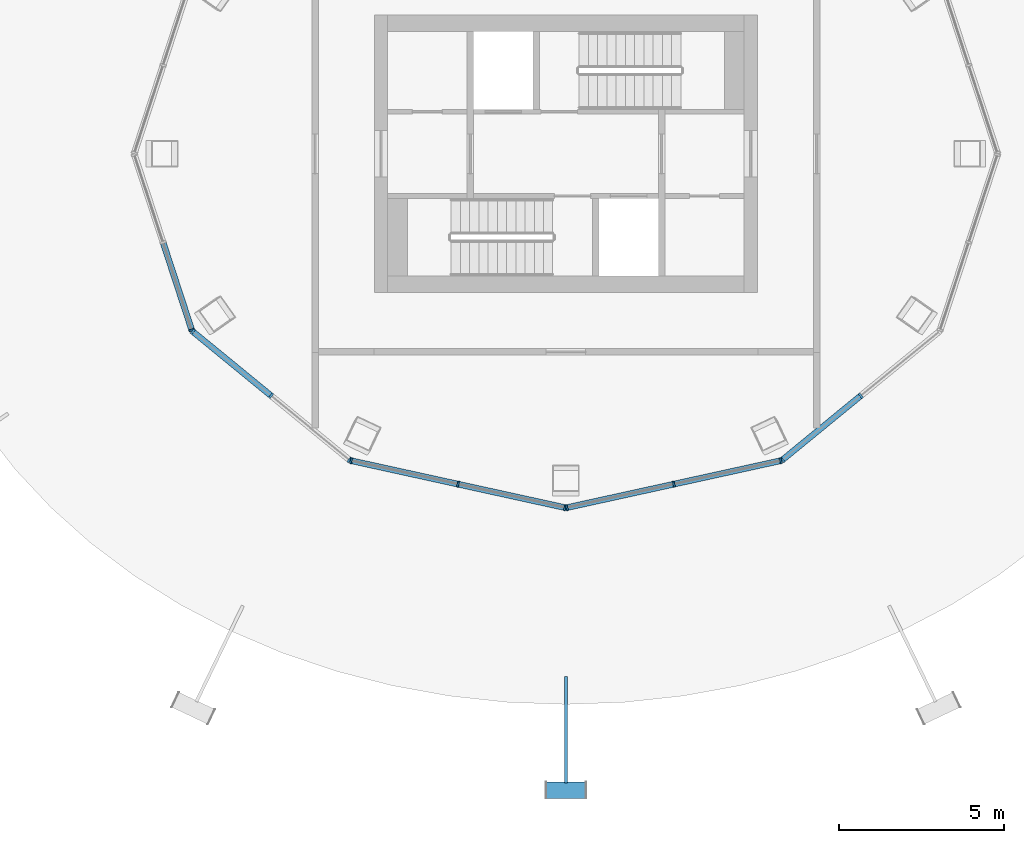
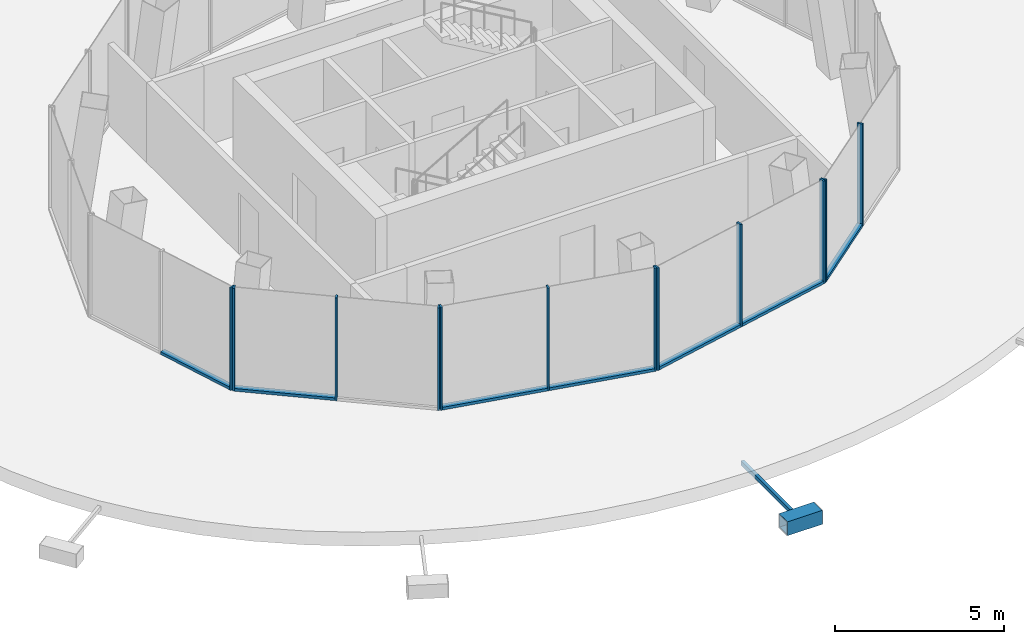
# One storey, part 2 of 10: 21 members, 5 elements without a shape of their own.
"""IFC4 building model written with IfcOpenShell, lengths in metres."""

from ifc_helpers import new_model, si_unit, direction, frame, origin, origin_2d, place, context, subcontext, project, spatial, rectangle, hollow_rectangle, extrude, material, layer, layer_set, material_profile, profile_set, type_object, element, aggregate, save


model = new_model("IFC4")

# Units and contexts
model_context = context("Model", 3, precision=1e-05, world=origin(), true_north=direction((0.0, 1.0)))
body_context = subcontext(model_context, "Body", "Model", "MODEL_VIEW")
ifc_project = project(units=[si_unit("LENGTHUNIT", "METRE"), si_unit("AREAUNIT", "SQUARE_METRE"), si_unit("VOLUMEUNIT", "CUBIC_METRE"), si_unit("PLANEANGLEUNIT", "RADIAN"), si_unit("MASSUNIT", "GRAM", prefix="KILO")], contexts=[model_context])

# Site, building, storey
site_placement = place(None, origin())
site = spatial("IfcSite", under=ifc_project, at=site_placement, CompositionType="ELEMENT")
building_placement = place(site_placement, origin())
building = spatial("IfcBuilding", under=site, at=building_placement, Name="Siaravel Broadcast Tower", CompositionType="ELEMENT")
storey_placement = place(building_placement, frame((0.0, 0.0, 272.60009765625)))
storey = spatial("IfcBuildingStorey", under=building, at=storey_placement, Name="L66", CompositionType="ELEMENT", Elevation=272.60009765625)

# Curtain wall, member
ifc_material_1 = material(Name="Aluminium 6063-T6", Category="aluminium")
ifc_layer = layer(ifc_material_1, 0.179931640625)
ifc_layer_set = layer_set([ifc_layer], Name="Aluminium 6063-T6")
curtain_wall_type = type_object("IfcCurtainWallType", Name="Crown glass facet wall", PredefinedType="NOTDEFINED", material=ifc_layer_set)
curtain_wall_1_placement = place(storey_placement, origin())
curtain_wall_1 = element("IfcCurtainWall", 1, at=curtain_wall_1_placement, inside=storey, type_object=curtain_wall_type, Name="L66 Crown glass facet wall 07", PredefinedType="NOTDEFINED")
ifc_material_profile_1 = material_profile(ifc_material_1, rectangle(XDim=0.179931640625, YDim=0.06005859375, at=origin_2d()))
ifc_profile_set_1 = profile_set([ifc_material_profile_1], Name="Aluminium 6063-T6")
member_type_1 = type_object("IfcMemberType", Name="CW-CR mullion", PredefinedType="MULLION", material=ifc_profile_set_1)
member_1_placement = place(storey_placement, frame((-11.3369140625, -5.337890625, 0.0), z_axis=(0.0, 0.0, 1.0), x_axis=(0.950455191, 0.310861592, 0.0)))
member_1 = element("IfcMember", 2, at=member_1_placement, type_object=member_type_1, Name="CW-CR mullion 3", PredefinedType="MULLION", context=body_context, shape_type="SweptSolid", body=[
    extrude(rectangle(XDim=0.179931640625, YDim=0.06005859375, at=origin_2d()), origin(), (0.0, 0.0, 1.0), 3.699951171875),
])

# Curtain wall, members
curtain_wall_2_placement = place(storey_placement, origin())
curtain_wall_2 = element("IfcCurtainWall", 3, at=curtain_wall_2_placement, inside=storey, type_object=curtain_wall_type, Name="L66 Crown glass facet wall 08", PredefinedType="NOTDEFINED")
member_2_placement = place(storey_placement, frame((-11.30419921875, -5.385498046875, 0.0), z_axis=(0.0, 0.0, 1.0), x_axis=(0.63371155, 0.773569435, 0.0)))
member_2 = element("IfcMember", 4, at=member_2_placement, type_object=member_type_1, Name="CW-CR mullion 1", PredefinedType="MULLION", context=body_context, shape_type="SweptSolid", body=[
    extrude(rectangle(XDim=0.179931640625, YDim=0.06005859375, at=origin_2d()), origin(), (0.0, 0.0, 1.0), 3.699951171875),
])
member_3_placement = place(storey_placement, frame((-8.9326171875, -7.328369140625, 0.0), z_axis=(0.0, 0.0, 1.0), x_axis=(0.63371155, 0.773569435, 0.0)))
member_3 = element("IfcMember", 5, at=member_3_placement, type_object=member_type_1, Name="CW-CR mullion 2", PredefinedType="MULLION", context=body_context, shape_type="SweptSolid", body=[
    extrude(rectangle(XDim=0.179931640625, YDim=0.06005859375, at=origin_2d()), origin(), (0.0, 0.0, 1.0), 3.699951171875),
])
member_4_placement = place(storey_placement, frame((-6.560791015625, -9.271240234375, 0.0), z_axis=(0.0, 0.0, 1.0), x_axis=(0.63371155, 0.773569435, 0.0)))
member_4 = element("IfcMember", 6, at=member_4_placement, type_object=member_type_1, Name="CW-CR mullion 3", PredefinedType="MULLION", context=body_context, shape_type="SweptSolid", body=[
    extrude(rectangle(XDim=0.179931640625, YDim=0.06005859375, at=origin_2d()), origin(), (0.0, 0.0, 1.0), 3.699951171875),
])

curtain_wall_3_placement = place(storey_placement, origin())
curtain_wall_3 = element("IfcCurtainWall", 7, at=curtain_wall_3_placement, inside=storey, type_object=curtain_wall_type, Name="L66 Crown glass facet wall 09", PredefinedType="NOTDEFINED")
member_5_placement = place(storey_placement, frame((-6.50830078125, -9.296630859375, 0.0), z_axis=(0.0, 0.0, 1.0), x_axis=(0.214393853, 0.976747294, 0.0)))
member_5 = element("IfcMember", 8, at=member_5_placement, type_object=member_type_1, Name="CW-CR mullion 1", PredefinedType="MULLION", context=body_context, shape_type="SweptSolid", body=[
    extrude(rectangle(XDim=0.179931640625, YDim=0.06005859375, at=origin_2d()), origin(), (0.0, 0.0, 1.0), 3.699951171875),
])
member_6_placement = place(storey_placement, frame((-3.268798828125, -10.0078125, 0.0), z_axis=(0.0, 0.0, 1.0), x_axis=(0.214393853, 0.976747294, 0.0)))
member_6 = element("IfcMember", 9, at=member_6_placement, type_object=member_type_1, Name="CW-CR mullion 2", PredefinedType="MULLION", context=body_context, shape_type="SweptSolid", body=[
    extrude(rectangle(XDim=0.179931640625, YDim=0.06005859375, at=origin_2d()), origin(), (0.0, 0.0, 1.0), 3.699951171875),
])
member_7_placement = place(storey_placement, frame((-0.029296875, -10.71875, 0.0), z_axis=(0.0, 0.0, 1.0), x_axis=(0.214393853, 0.976747294, 0.0)))
member_7 = element("IfcMember", 10, at=member_7_placement, type_object=member_type_1, Name="CW-CR mullion 3", PredefinedType="MULLION", context=body_context, shape_type="SweptSolid", body=[
    extrude(rectangle(XDim=0.179931640625, YDim=0.06005859375, at=origin_2d()), origin(), (0.0, 0.0, 1.0), 3.699951171875),
])

curtain_wall_4_placement = place(storey_placement, origin())
curtain_wall_4 = element("IfcCurtainWall", 11, at=curtain_wall_4_placement, inside=storey, type_object=curtain_wall_type, Name="L66 Crown glass facet wall 10", PredefinedType="NOTDEFINED")
member_8_placement = place(storey_placement, frame((0.029296875, -10.71875, 0.0), z_axis=(0.0, 0.0, 1.0), x_axis=(-0.214393853, 0.976747294, 0.0)))
member_8 = element("IfcMember", 12, at=member_8_placement, type_object=member_type_1, Name="CW-CR mullion 1", PredefinedType="MULLION", context=body_context, shape_type="SweptSolid", body=[
    extrude(rectangle(XDim=0.179931640625, YDim=0.06005859375, at=origin_2d()), origin(), (0.0, 0.0, 1.0), 3.699951171875),
])
member_9_placement = place(storey_placement, frame((3.268798828125, -10.0078125, 0.0), z_axis=(0.0, 0.0, 1.0), x_axis=(-0.214393853, 0.976747294, 0.0)))
member_9 = element("IfcMember", 13, at=member_9_placement, type_object=member_type_1, Name="CW-CR mullion 2", PredefinedType="MULLION", context=body_context, shape_type="SweptSolid", body=[
    extrude(rectangle(XDim=0.179931640625, YDim=0.06005859375, at=origin_2d()), origin(), (0.0, 0.0, 1.0), 3.699951171875),
])
member_10_placement = place(storey_placement, frame((6.50830078125, -9.296630859375, 0.0), z_axis=(0.0, 0.0, 1.0), x_axis=(-0.214393853, 0.976747294, 0.0)))
member_10 = element("IfcMember", 14, at=member_10_placement, type_object=member_type_1, Name="CW-CR mullion 3", PredefinedType="MULLION", context=body_context, shape_type="SweptSolid", body=[
    extrude(rectangle(XDim=0.179931640625, YDim=0.06005859375, at=origin_2d()), origin(), (0.0, 0.0, 1.0), 3.699951171875),
])

curtain_wall_5_placement = place(storey_placement, origin())
curtain_wall_5 = element("IfcCurtainWall", 15, at=curtain_wall_5_placement, inside=storey, type_object=curtain_wall_type, Name="L66 Crown glass facet wall 11", PredefinedType="NOTDEFINED")
member_11_placement = place(storey_placement, frame((6.560791015625, -9.271240234375, 0.0), z_axis=(0.0, 0.0, 1.0), x_axis=(-0.63371155, 0.773569435, 0.0)))
member_11 = element("IfcMember", 16, at=member_11_placement, type_object=member_type_1, Name="CW-CR mullion 1", PredefinedType="MULLION", context=body_context, shape_type="SweptSolid", body=[
    extrude(rectangle(XDim=0.179931640625, YDim=0.06005859375, at=origin_2d()), origin(), (0.0, 0.0, 1.0), 3.699951171875),
])
member_12_placement = place(storey_placement, frame((8.9326171875, -7.328369140625, 0.0), z_axis=(0.0, 0.0, 1.0), x_axis=(-0.63371155, 0.773569435, 0.0)))
member_12 = element("IfcMember", 17, at=member_12_placement, type_object=member_type_1, Name="CW-CR mullion 2", PredefinedType="MULLION", context=body_context, shape_type="SweptSolid", body=[
    extrude(rectangle(XDim=0.179931640625, YDim=0.06005859375, at=origin_2d()), origin(), (0.0, 0.0, 1.0), 3.699951171875),
])

# Member
ifc_material_profile_2 = material_profile(ifc_material_1, rectangle(XDim=0.179931640625, YDim=0.10009765625, at=origin_2d()))
ifc_profile_set_2 = profile_set([ifc_material_profile_2], Name="Aluminium 6063-T6")
member_type_2 = type_object("IfcMemberType", Name="CW-CR transom", PredefinedType="USERDEFINED", material=ifc_profile_set_2)
member_13_placement = place(storey_placement, frame((-12.19580078125, -2.711669921875, 0.0498046875), z_axis=(0.310863012, -0.950454727, 0.0), x_axis=(0.950454727, 0.310863012, 0.0)))
member_13 = element("IfcMember", 18, at=member_13_placement, type_object=member_type_2, Name="CW-CR transom 2", ObjectType="TRANSOM", PredefinedType="USERDEFINED", context=body_context, shape_type="SweptSolid", body=[
    extrude(rectangle(XDim=0.179931640625, YDim=0.10009765625, at=origin_2d()), origin(), (0.0, 0.0, 1.0), 2.733154296875),
])

aggregate(curtain_wall_1, [member_1, member_13])

member_14_placement = place(storey_placement, frame((-11.281005859375, -5.404296875, 0.0498046875), z_axis=(0.77353374, -0.633755121, 0.0), x_axis=(0.633755121, 0.77353374, 0.0)))
member_14 = element("IfcMember", 19, at=member_14_placement, type_object=member_type_2, Name="CW-CR transom 1", ObjectType="TRANSOM", PredefinedType="USERDEFINED", context=body_context, shape_type="SweptSolid", body=[
    extrude(rectangle(XDim=0.179931640625, YDim=0.10009765625, at=origin_2d()), origin(), (0.0, 0.0, 1.0), 3.005859375),
])

aggregate(curtain_wall_2, [member_2, member_3, member_4, member_14])

member_15_placement = place(storey_placement, frame((-6.47900390625, -9.302978515625, 0.0498046875), z_axis=(0.976744726, -0.21440555, 0.0), x_axis=(0.21440555, 0.976744726, 0.0)))
member_15 = element("IfcMember", 20, at=member_15_placement, type_object=member_type_2, Name="CW-CR transom 1", ObjectType="TRANSOM", PredefinedType="USERDEFINED", context=body_context, shape_type="SweptSolid", body=[
    extrude(rectangle(XDim=0.179931640625, YDim=0.10009765625, at=origin_2d()), origin(), (0.0, 0.0, 1.0), 3.256591796875),
])

member_16_placement = place(storey_placement, frame((-3.239501953125, -10.01416015625, 0.0498046875), z_axis=(0.976744726, -0.21440555, 0.0), x_axis=(0.21440555, 0.976744726, 0.0)))
member_16 = element("IfcMember", 21, at=member_16_placement, type_object=member_type_2, Name="CW-CR transom 2", ObjectType="TRANSOM", PredefinedType="USERDEFINED", context=body_context, shape_type="SweptSolid", body=[
    extrude(rectangle(XDim=0.179931640625, YDim=0.10009765625, at=origin_2d()), origin(), (0.0, 0.0, 1.0), 3.256591796875),
])

aggregate(curtain_wall_3, [member_5, member_6, member_7, member_15, member_16])

member_17_placement = place(storey_placement, frame((0.05859375, -10.71240234375, 0.0498046875), z_axis=(0.976744726, 0.21440555, 0.0), x_axis=(-0.21440555, 0.976744726, 0.0)))
member_17 = element("IfcMember", 22, at=member_17_placement, type_object=member_type_2, Name="CW-CR transom 1", ObjectType="TRANSOM", PredefinedType="USERDEFINED", context=body_context, shape_type="SweptSolid", body=[
    extrude(rectangle(XDim=0.179931640625, YDim=0.10009765625, at=origin_2d()), origin(), (0.0, 0.0, 1.0), 3.256591796875),
])

member_18_placement = place(storey_placement, frame((3.298095703125, -10.001220703125, 0.0498046875), z_axis=(0.976744726, 0.21440555, 0.0), x_axis=(-0.21440555, 0.976744726, 0.0)))
member_18 = element("IfcMember", 23, at=member_18_placement, type_object=member_type_2, Name="CW-CR transom 2", ObjectType="TRANSOM", PredefinedType="USERDEFINED", context=body_context, shape_type="SweptSolid", body=[
    extrude(rectangle(XDim=0.179931640625, YDim=0.10009765625, at=origin_2d()), origin(), (0.0, 0.0, 1.0), 3.256591796875),
])

aggregate(curtain_wall_4, [member_8, member_9, member_10, member_17, member_18])

member_19_placement = place(storey_placement, frame((6.583984375, -9.252197265625, 0.0498046875), z_axis=(0.773573557, 0.633706519, 0.0), x_axis=(-0.633706519, 0.773573557, 0.0)))
member_19 = element("IfcMember", 24, at=member_19_placement, type_object=member_type_2, Name="CW-CR transom 1", ObjectType="TRANSOM", PredefinedType="USERDEFINED", context=body_context, shape_type="SweptSolid", body=[
    extrude(rectangle(XDim=0.179931640625, YDim=0.10009765625, at=origin_2d()), origin(), (0.0, 0.0, 1.0), 3.005859375),
])

aggregate(curtain_wall_5, [member_11, member_12, member_19])

# Members
ifc_material_2 = material(Name="Steel S460", Category="steel")
ifc_material_profile_3 = material_profile(ifc_material_2, hollow_rectangle(XDim=0.5, YDim=0.5, WallThickness=0.031982421875, at=origin_2d()))
ifc_profile_set_3 = profile_set([ifc_material_profile_3], Name="Steel S460")
member_type_3 = type_object("IfcMemberType", Name="Diagrid node BOX 500x500x32", PredefinedType="USERDEFINED", material=ifc_profile_set_3)
member_20_placement = place(storey_placement, frame((-0.593505859375, -19.280029296875, -0.2001953125), z_axis=(1.0, 0.0, 0.0), x_axis=(0.0, 1.0, 0.0)))
element("IfcMember", 25, at=member_20_placement, inside=storey, type_object=member_type_3, Name="Diagrid node R27 station 54", ObjectType="DIAGRID NODE", PredefinedType="USERDEFINED", context=body_context, shape_type="SweptSolid", body=[
    extrude(hollow_rectangle(XDim=0.5, YDim=0.5, WallThickness=0.031982421875, at=origin_2d()), origin(), (0.0, 0.0, 1.0), 1.18701171875),
])
ifc_material_profile_4 = material_profile(ifc_material_2, hollow_rectangle(XDim=0.10009765625, YDim=0.14990234375, WallThickness=0.008056640625, at=origin_2d()))
ifc_profile_set_4 = profile_set([ifc_material_profile_4], Name="Steel S460")
member_type_4 = type_object("IfcMemberType", Name="Diagrid node arm RHS 150x100x8", PredefinedType="STRUT", material=ifc_profile_set_4)
member_21_placement = place(storey_placement, frame((0.0, -15.840087890625, -0.25), z_axis=(0.0, -1.0, 0.0), x_axis=(1.0, 0.0, 0.0)))
element("IfcMember", 26, at=member_21_placement, inside=storey, type_object=member_type_4, Name="Node arm R27 station 54", PredefinedType="STRUT", context=body_context, shape_type="SweptSolid", body=[
    extrude(hollow_rectangle(XDim=0.10009765625, YDim=0.14990234375, WallThickness=0.008056640625, at=origin_2d()), origin(), (0.0, 0.0, 1.0), 3.219970703125),
])

save(model, "model.ifc")
